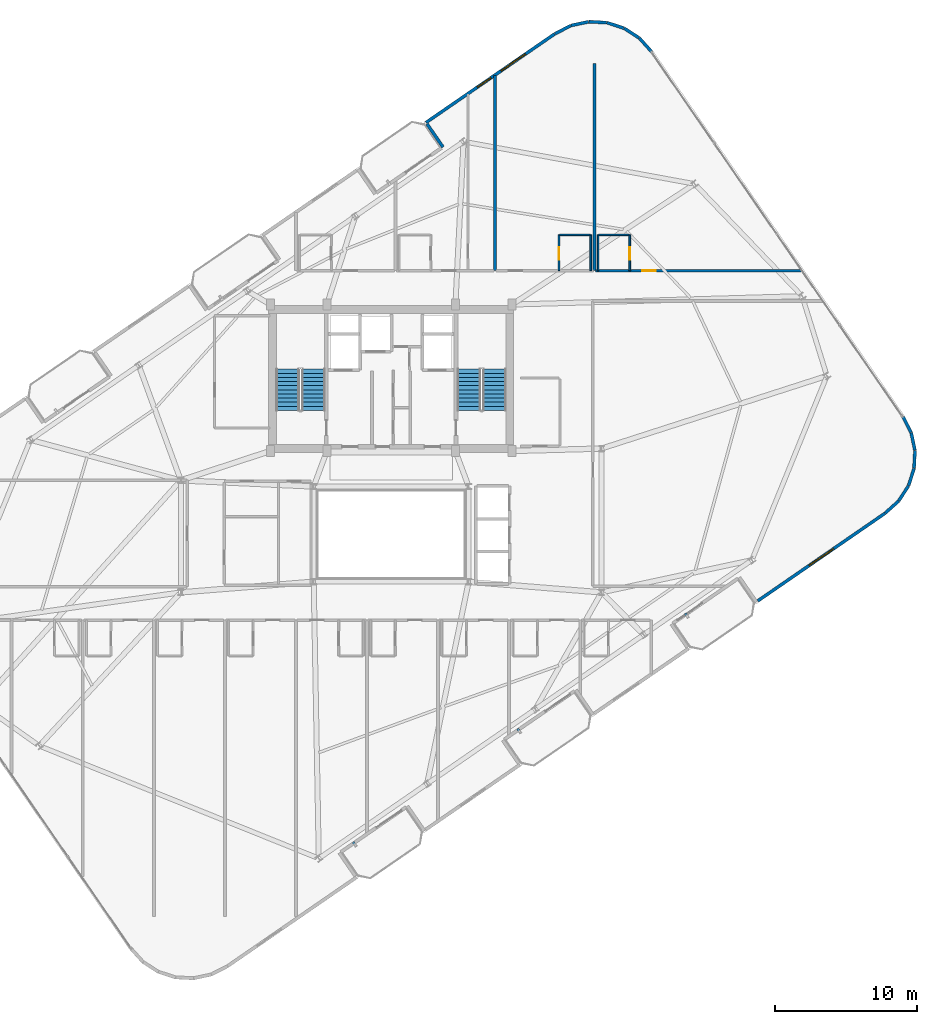
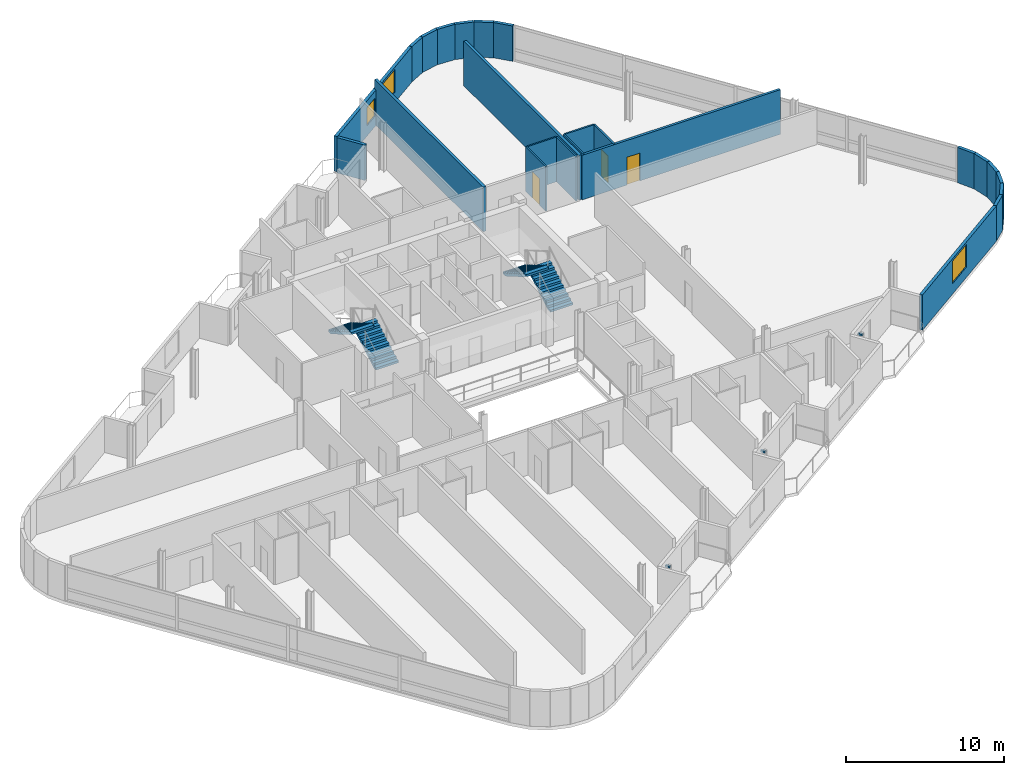
# One storey, part 18 of 22: 24 walls, 4 stair flights, 3 discrete accessories, 3 doors, 3 windows, 6 openings, 2 elements without a shape of their own.
"""IFC4 building model written with IfcOpenShell, lengths in metres."""

from ifc_helpers import new_model, si_unit, direction, frame, frame_2d, origin, origin_2d, place, context, subcontext, project, spatial, polyline, rectangle, outline, extrude, source, transform, mapped, material, layer, layer_set, type_object, element, fill, aggregate, save


model = new_model("IFC4")

# Units and contexts
model_context = context("Model", 3, precision=1e-05, world=origin(), true_north=direction((0.0, 1.0)))
body_context = subcontext(model_context, "Body", "Model", "MODEL_VIEW")
ifc_project = project(units=[si_unit("LENGTHUNIT", "METRE"), si_unit("AREAUNIT", "SQUARE_METRE"), si_unit("VOLUMEUNIT", "CUBIC_METRE"), si_unit("PLANEANGLEUNIT", "RADIAN"), si_unit("MASSUNIT", "GRAM", prefix="KILO")], contexts=[model_context])

# Site, building, storey
site_placement = place(None, origin())
site = spatial("IfcSite", under=ifc_project, at=site_placement, CompositionType="ELEMENT")
building_placement = place(site_placement, origin())
building = spatial("IfcBuilding", under=site, at=building_placement, Name="Varnelok Gate Tower", CompositionType="ELEMENT")
storey_placement = place(building_placement, frame((0.0, 0.0, 280.39990234375)))
storey = spatial("IfcBuildingStorey", under=building, at=storey_placement, Name="L72", CompositionType="ELEMENT", Elevation=280.39990234375)

# Wall, opening, window
ifc_material_1 = material(Name="Concrete C45/55", Category="concrete")
ifc_layer_1 = layer(ifc_material_1, 0.219970703125)
ifc_layer_set_1 = layer_set([ifc_layer_1], Name="Concrete C45/55")
wall_type_1 = type_object("IfcWallType", Name="EW-BALC-220", PredefinedType="SOLIDWALL", material=ifc_layer_set_1)
wall_1_placement = place(storey_placement, frame((64.9921875, 18.197998046875, 0.0), z_axis=(0.0, 0.0, 1.0), x_axis=(0.823538117322, 0.56726093583, 0.0)))
wall_1 = element("IfcWall", 1, at=wall_1_placement, inside=storey, type_object=wall_type_1, Name="L72 Perimeter Facade Closure Wall 16", PredefinedType="SOLIDWALL", context=body_context, shape_type="SweptSolid", body=[
    extrude(rectangle(XDim=10.880126953125, YDim=0.219970703125, at=frame_2d((5.43994140625, 0.0))), origin(), (0.0, 0.0, 1.0), 2.72998046875),
])
opening_1_placement = place(wall_1_placement, frame((4.39013671875, 0.0, 0.800048828125)))
opening_1 = element("IfcOpeningElement", 2, at=opening_1_placement, cuts=wall_1, Name="Opening WN4", PredefinedType="OPENING", context=body_context, shape_type="SweptSolid", body=[
    extrude(rectangle(XDim=2.10009765625, YDim=1.75, at=frame_2d((1.050048828125, 0.875))), frame((0.0, 0.119873046875, 0.0), z_axis=(0.0, -1.0, 0.0), x_axis=(1.0, 0.0, 0.0)), (0.0, 0.0, 1.0), 0.239990234375),
])
ifc_material_2 = material(Name="Low-E Laminated Double Glazing IGU", Category="glass")
window_type_1 = type_object("IfcWindowType", Name="WN-SUI-2100", PartitioningType="SINGLE_PANEL", PredefinedType="WINDOW", material=ifc_material_2)
window_1_placement = place(opening_1_placement, origin())
window_1 = element("IfcWindow", 3, at=window_1_placement, inside=storey, type_object=window_type_1, Name="L72 Perimeter Vision Window 16", OverallHeight=1.75, OverallWidth=2.10009765625, PartitioningType="SINGLE_PANEL", PredefinedType="WINDOW", context=body_context, shape_type="SweptSolid", body=[
    extrude(rectangle(XDim=2.10009765625, YDim=1.75, at=frame_2d((1.050048828125, 0.875))), frame((0.0, 0.030029296875, 0.0), z_axis=(0.0, -1.0, 0.0), x_axis=(1.0, 0.0, 0.0)), (0.0, 0.0, 1.0), 0.06005859375),
])
fill(opening_1, window_1)

# Walls
wall_2_placement = place(storey_placement, frame((73.970947265625, 24.38671875, 0.0), z_axis=(0.0, 0.0, 1.0), x_axis=(0.742501517089, 0.669844382764, 0.0)))
element("IfcWall", 4, at=wall_2_placement, inside=storey, type_object=wall_type_1, Name="L72 Perimeter Facade Closure Wall 17", PredefinedType="SOLIDWALL", context=body_context, shape_type="SweptSolid", body=[
    extrude(rectangle(XDim=1.256591796875, YDim=0.219970703125, at=frame_2d((0.62841796875, 0.0))), origin(), (0.0, 0.0, 1.0), 2.72998046875),
])
wall_3_placement = place(storey_placement, frame((74.91748046875, 25.24951171875, 0.0), z_axis=(0.0, 0.0, 1.0), x_axis=(0.543778157277, 0.839229000731, 0.0)))
element("IfcWall", 5, at=wall_3_placement, inside=storey, type_object=wall_type_1, Name="L72 Perimeter Facade Closure Wall 18", PredefinedType="SOLIDWALL", context=body_context, shape_type="SweptSolid", body=[
    extrude(rectangle(XDim=1.24853515625, YDim=0.219970703125, at=frame_2d((0.624267578125, 0.0))), origin(), (0.0, 0.0, 1.0), 2.72998046875),
])
for number, where, z_axis, x_axis, name in (
    (6, (75.604248046875, 26.321044921875, 0.0), (0.0, 0.0, 1.0), (0.307945220076, 0.951404089455, 0.0), "L72 Perimeter Facade Closure Wall 19"),
    (7, (75.989990234375, 27.533935546875, 0.0), (0.0, 0.0, 1.0), (0.05141975041, 0.998677129641, 0.0), "L72 Perimeter Facade Closure Wall 20"),
    (8, (76.048828125, 28.805419921875, 0.0), (0.0, 0.0, 1.0), (-0.208808017511, 0.977956651301, 0.0), "L72 Perimeter Facade Closure Wall 21"),
    (9, (75.776611328125, 30.048828125, 0.0), (0.0, 0.0, 1.0), (-0.454938817534, 0.890522696118, 0.0), "L72 Perimeter Facade Closure Wall 22"),
):
    element("IfcWall", number, at=place(storey_placement, frame(where, z_axis=z_axis, x_axis=x_axis)), inside=storey, type_object=wall_type_1, Name=name, PredefinedType="SOLIDWALL", context=body_context, shape_type="SweptSolid", body=[
        extrude(rectangle(XDim=1.248779296875, YDim=0.219970703125, at=frame_2d((0.62451171875, 0.0))), origin(), (0.0, 0.0, 1.0), 2.72998046875),
    ])
wall_4_placement = place(storey_placement, frame((57.509765625, 56.85498046875, 0.0), z_axis=(0.0, 0.0, 1.0), x_axis=(-0.669853727156, 0.742493086982, 0.0)))
element("IfcWall", 10, at=wall_4_placement, inside=storey, type_object=wall_type_1, Name="L72 Perimeter Facade Closure Wall 23", PredefinedType="SOLIDWALL", context=body_context, shape_type="SweptSolid", body=[
    extrude(rectangle(XDim=1.27392578125, YDim=0.219970703125, at=frame_2d((0.636962890625, 0.0))), origin(), (0.0, 0.0, 1.0), 2.72998046875),
])
wall_5_placement = place(storey_placement, frame((56.635498046875, 57.814208984375, 0.0), z_axis=(0.0, 0.0, 1.0), x_axis=(-0.839229000731, 0.543778157277, 0.0)))
element("IfcWall", 11, at=wall_5_placement, inside=storey, type_object=wall_type_1, Name="L72 Perimeter Facade Closure Wall 24", PredefinedType="SOLIDWALL", context=body_context, shape_type="SweptSolid", body=[
    extrude(rectangle(XDim=1.24853515625, YDim=0.219970703125, at=frame_2d((0.624267578125, 0.0))), origin(), (0.0, 0.0, 1.0), 2.72998046875),
])
for number, where, z_axis, x_axis, name in (
    (12, (55.56396484375, 58.5009765625, 0.0), (0.0, 0.0, 1.0), (-0.951404089455, 0.307945220076, 0.0), "L72 Perimeter Facade Closure Wall 25"),
    (13, (54.35107421875, 58.88671875, 0.0), (0.0, 0.0, 1.0), (-0.998687150602, 0.051224752047, 0.0), "L72 Perimeter Facade Closure Wall 26"),
    (14, (53.07958984375, 58.945556640625, 0.0), (0.0, 0.0, 1.0), (-0.977956651301, -0.208808017511, 0.0), "L72 Perimeter Facade Closure Wall 27"),
):
    element("IfcWall", number, at=place(storey_placement, frame(where, z_axis=z_axis, x_axis=x_axis)), inside=storey, type_object=wall_type_1, Name=name, PredefinedType="SOLIDWALL", context=body_context, shape_type="SweptSolid", body=[
        extrude(rectangle(XDim=1.248779296875, YDim=0.219970703125, at=frame_2d((0.62451171875, 0.0))), origin(), (0.0, 0.0, 1.0), 2.72998046875),
    ])
wall_6_placement = place(storey_placement, frame((51.836181640625, 58.67333984375, 0.0), z_axis=(0.0, 0.0, 1.0), x_axis=(-0.890586847538, -0.454813222095, 0.0)))
element("IfcWall", 15, at=wall_6_placement, inside=storey, type_object=wall_type_1, Name="L72 Perimeter Facade Closure Wall 28", PredefinedType="SOLIDWALL", context=body_context, shape_type="SweptSolid", body=[
    extrude(rectangle(XDim=1.256591796875, YDim=0.219970703125, at=frame_2d((0.62841796875, 0.0))), origin(), (0.0, 0.0, 1.0), 2.72998046875),
])

# Wall, openings, windows
wall_7_placement = place(storey_placement, frame((50.696533203125, 58.08740234375, 0.0), z_axis=(0.0, 0.0, 1.0), x_axis=(-0.823539455464, -0.567258993137, 0.0)))
wall_7 = element("IfcWall", 16, at=wall_7_placement, inside=storey, type_object=wall_type_1, Name="L72 Perimeter Facade Closure Wall 29", PredefinedType="SOLIDWALL", context=body_context, shape_type="SweptSolid", body=[
    extrude(rectangle(XDim=10.97998046875, YDim=0.219970703125, at=frame_2d((5.489990234375, 0.0))), origin(), (0.0, 0.0, 1.0), 2.72998046875),
])
opening_2_placement = place(wall_7_placement, frame((2.486328125, 0.0, 0.800048828125)))
opening_2 = element("IfcOpeningElement", 17, at=opening_2_placement, cuts=wall_7, Name="Opening WN4", PredefinedType="OPENING", context=body_context, shape_type="SweptSolid", body=[
    extrude(rectangle(XDim=2.10009765625, YDim=1.75, at=frame_2d((1.050048828125, 0.875))), frame((0.0, 0.119873046875, 0.0), z_axis=(0.0, -1.0, 0.0), x_axis=(1.0, 0.0, 0.0)), (0.0, 0.0, 1.0), 0.239990234375),
])
opening_3_placement = place(wall_7_placement, frame((5.43896484375, 0.0, 0.800048828125)))
opening_3 = element("IfcOpeningElement", 18, at=opening_3_placement, cuts=wall_7, Name="Opening WN8", PredefinedType="OPENING", context=body_context, shape_type="SweptSolid", body=[
    extrude(rectangle(XDim=1.14990234375, YDim=1.39990234375, at=frame_2d((0.574951171875, 0.699951171875))), frame((0.0, 0.119873046875, 0.0), z_axis=(0.0, -1.0, 0.0), x_axis=(1.0, 0.0, 0.0)), (0.0, 0.0, 1.0), 0.239990234375),
])
window_type_2 = type_object("IfcWindowType", Name="WN-BED-1150", PartitioningType="SINGLE_PANEL", PredefinedType="WINDOW", material=ifc_material_2)
window_2_placement = place(opening_3_placement, origin())
window_2 = element("IfcWindow", 19, at=window_2_placement, inside=storey, type_object=window_type_2, Name="L72 Bedroom Vision Window 52", OverallHeight=1.39990234375, OverallWidth=1.14990234375, PartitioningType="SINGLE_PANEL", PredefinedType="WINDOW", context=body_context, shape_type="SweptSolid", body=[
    extrude(rectangle(XDim=1.14990234375, YDim=1.39990234375, at=frame_2d((0.574951171875, 0.699951171875))), frame((0.0, 0.030029296875, 0.0), z_axis=(0.0, -1.0, 0.0), x_axis=(1.0, 0.0, 0.0)), (0.0, 0.0, 1.0), 0.06005859375),
])
fill(opening_3, window_2)
window_3_placement = place(opening_2_placement, origin())
window_3 = element("IfcWindow", 20, at=window_3_placement, inside=storey, type_object=window_type_1, Name="L72 Perimeter Vision Window 29", OverallHeight=1.75, OverallWidth=2.10009765625, PartitioningType="SINGLE_PANEL", PredefinedType="WINDOW", context=body_context, shape_type="SweptSolid", body=[
    extrude(rectangle(XDim=2.10009765625, YDim=1.75, at=frame_2d((1.050048828125, 0.875))), frame((0.0, 0.030029296875, 0.0), z_axis=(0.0, -1.0, 0.0), x_axis=(1.0, 0.0, 0.0)), (0.0, 0.0, 1.0), 0.06005859375),
])
fill(opening_2, window_3)

# Wall
wall_8_placement = place(storey_placement, frame((41.724853515625, 51.755859375, 0.0), z_axis=(0.0, 0.0, 1.0), x_axis=(0.567273565974, -0.823529417415, 0.0)))
element("IfcWall", 21, at=wall_8_placement, inside=storey, type_object=wall_type_1, Name="L72 Perimeter Facade Closure Wall 30", PredefinedType="SOLIDWALL", context=body_context, shape_type="SweptSolid", body=[
    extrude(rectangle(XDim=1.97509765625, YDim=0.219970703125, at=frame_2d((0.987548828125, 0.0))), origin(), (0.0, 0.0, 1.0), 2.72998046875),
])

# Wall, opening, door
ifc_material_3 = material(Name="Gypsum Plasterboard Acoustic Partition", Category="gypsum")
ifc_layer_2 = layer(ifc_material_3, 0.179931640625)
ifc_layer_set_2 = layer_set([ifc_layer_2], Name="Gypsum Plasterboard Acoustic Partition")
wall_type_2 = type_object("IfcWallType", Name="PW-CORR-180", PredefinedType="PARTITIONING", material=ifc_layer_set_2)
wall_9_placement = place(storey_placement, frame((53.580078125, 41.429931640625, 0.0), z_axis=(0.0, 0.0, 1.0), x_axis=(1.0, 0.0, 0.0)))
wall_9 = element("IfcWall", 22, at=wall_9_placement, inside=storey, type_object=wall_type_2, Name="Interior Partition", PredefinedType="PARTITIONING", context=body_context, shape_type="SweptSolid", body=[
    extrude(rectangle(XDim=14.491943359375, YDim=0.179931640625, at=frame_2d((7.24609375, 0.0))), origin(), (0.0, 0.0, 1.0), 3.4501953125),
])
opening_4_placement = place(wall_9_placement, frame((3.29443359375, 0.0, 0.0)))
opening_4 = element("IfcOpeningElement", 23, at=opening_4_placement, cuts=wall_9, Name="Opening D-HT", PredefinedType="OPENING", context=body_context, shape_type="SweptSolid", body=[
    extrude(rectangle(XDim=0.949951171875, YDim=2.14990234375, at=frame_2d((0.47509765625, 1.074951171875))), frame((0.0, 0.099853515625, 0.0), z_axis=(0.0, -1.0, 0.0), x_axis=(1.0, 0.0, 0.0)), (0.0, 0.0, 1.0), 0.199951171875),
])
ifc_material_4 = material(Name="Engineered Hardwood Timber", Category="wood")
door_type_1 = type_object("IfcDoorType", Name="DR-HTL-950", OperationType="NOTDEFINED", PredefinedType="DOOR", material=ifc_material_4)
door_1_placement = place(opening_4_placement, origin())
door_1 = element("IfcDoor", 24, at=door_1_placement, inside=storey, type_object=door_type_1, Name="L72 Guest Room 16 Entrance Door", OperationType="SINGLE_SWING_LEFT", OverallHeight=2.14990234375, OverallWidth=0.949951171875, PredefinedType="DOOR", context=body_context, shape_type="SweptSolid", body=[
    extrude(rectangle(XDim=0.949951171875, YDim=2.14990234375, at=frame_2d((0.47509765625, 1.074951171875))), frame((0.0, 0.02490234375, 0.0), z_axis=(0.0, -1.0, 0.0), x_axis=(1.0, 0.0, 0.0)), (0.0, 0.0, 1.0), 0.050048828125),
])
fill(opening_4, door_1)

# Wall
ifc_layer_3 = layer(ifc_material_3, 0.114990234375)
ifc_layer_set_3 = layer_set([ifc_layer_3], Name="Gypsum Plasterboard Acoustic Partition")
wall_type_3 = type_object("IfcWallType", Name="PW-ENS-125", PredefinedType="PARTITIONING", material=ifc_layer_set_3)
wall_10_placement = place(storey_placement, frame((51.050048828125, 43.949951171875, 0.0), z_axis=(0.0, 0.0, 1.0), x_axis=(1.0, 0.0, 0.0)))
element("IfcWall", 25, at=wall_10_placement, inside=storey, type_object=wall_type_3, Name="Interior Partition", PredefinedType="PARTITIONING", context=body_context, shape_type="SweptSolid", body=[
    extrude(rectangle(XDim=2.14990234375, YDim=0.114990234375, at=frame_2d((1.074951171875, 0.0))), origin(), (0.0, 0.0, 1.0), 3.4501953125),
])

# Wall, opening, door
wall_11_placement = place(storey_placement, frame((51.010009765625, 41.429931640625, 0.0), z_axis=(0.0, 0.0, 1.0), x_axis=(0.0, 1.0, 0.0)))
wall_11 = element("IfcWall", 26, at=wall_11_placement, inside=storey, type_object=wall_type_3, Name="Interior Partition", PredefinedType="PARTITIONING", context=body_context, shape_type="SweptSolid", body=[
    extrude(rectangle(XDim=2.52001953125, YDim=0.114990234375, at=frame_2d((1.260009765625, 0.0))), origin(), (0.0, 0.0, 1.0), 3.4501953125),
])
opening_5_placement = place(wall_11_placement, frame((0.760009765625, 0.0, 0.0)))
opening_5 = element("IfcOpeningElement", 27, at=opening_5_placement, cuts=wall_11, Name="Opening D-WC", PredefinedType="OPENING", context=body_context, shape_type="SweptSolid", body=[
    extrude(rectangle(XDim=0.89990234375, YDim=2.050048828125, at=frame_2d((0.449951171875, 1.02490234375))), frame((0.0, 0.0673828125, 0.0), z_axis=(0.0, -1.0, 0.0), x_axis=(1.0, 0.0, 0.0)), (0.0, 0.0, 1.0), 0.135009765625),
])
door_type_2 = type_object("IfcDoorType", Name="DR-BATH-900", OperationType="NOTDEFINED", PredefinedType="DOOR", material=ifc_material_4)
door_2_placement = place(opening_5_placement, origin())
door_2 = element("IfcDoor", 28, at=door_2_placement, inside=storey, type_object=door_type_2, Name="L72 North En-Suite 15 Door", OperationType="SINGLE_SWING_LEFT", OverallHeight=2.050048828125, OverallWidth=0.89990234375, PredefinedType="DOOR", context=body_context, shape_type="SweptSolid", body=[
    extrude(rectangle(XDim=0.89990234375, YDim=2.050048828125, at=frame_2d((0.449951171875, 1.02490234375))), frame((0.0, 0.02490234375, 0.0), z_axis=(0.0, -1.0, 0.0), x_axis=(1.0, 0.0, 0.0)), (0.0, 0.0, 1.0), 0.050048828125),
])
fill(opening_5, door_2)

# Walls
wall_12_placement = place(storey_placement, frame((53.239990234375, 41.429931640625, 0.0), z_axis=(0.0, 0.0, 1.0), x_axis=(0.0, 1.0, 0.0)))
element("IfcWall", 29, at=wall_12_placement, inside=storey, type_object=wall_type_3, Name="Interior Partition", PredefinedType="PARTITIONING", context=body_context, shape_type="SweptSolid", body=[
    extrude(rectangle(XDim=2.52001953125, YDim=0.114990234375, at=frame_2d((1.260009765625, 0.0))), origin(), (0.0, 0.0, 1.0), 3.4501953125),
])
wall_13_placement = place(storey_placement, frame((53.800048828125, 43.949951171875, 0.0), z_axis=(0.0, 0.0, 1.0), x_axis=(1.0, 0.0, 0.0)))
element("IfcWall", 30, at=wall_13_placement, inside=storey, type_object=wall_type_3, Name="Interior Partition", PredefinedType="PARTITIONING", context=body_context, shape_type="SweptSolid", body=[
    extrude(rectangle(XDim=2.14990234375, YDim=0.114990234375, at=frame_2d((1.074951171875, 0.0))), origin(), (0.0, 0.0, 1.0), 3.4501953125),
])

# Wall, opening, door
wall_14_placement = place(storey_placement, frame((55.989990234375, 41.429931640625, 0.0), z_axis=(0.0, 0.0, 1.0), x_axis=(0.0, 1.0, 0.0)))
wall_14 = element("IfcWall", 31, at=wall_14_placement, inside=storey, type_object=wall_type_3, Name="Interior Partition", PredefinedType="PARTITIONING", context=body_context, shape_type="SweptSolid", body=[
    extrude(rectangle(XDim=2.52001953125, YDim=0.114990234375, at=frame_2d((1.260009765625, 0.0))), origin(), (0.0, 0.0, 1.0), 3.4501953125),
])
opening_6_placement = place(wall_14_placement, frame((0.760009765625, 0.0, 0.0)))
opening_6 = element("IfcOpeningElement", 32, at=opening_6_placement, cuts=wall_14, Name="Opening D-WC", PredefinedType="OPENING", context=body_context, shape_type="SweptSolid", body=[
    extrude(rectangle(XDim=0.89990234375, YDim=2.050048828125, at=frame_2d((0.449951171875, 1.02490234375))), frame((0.0, 0.0673828125, 0.0), z_axis=(0.0, -1.0, 0.0), x_axis=(1.0, 0.0, 0.0)), (0.0, 0.0, 1.0), 0.135009765625),
])
door_3_placement = place(opening_6_placement, origin())
door_3 = element("IfcDoor", 33, at=door_3_placement, inside=storey, type_object=door_type_2, Name="L72 North En-Suite 16 Door", OperationType="SINGLE_SWING_RIGHT", OverallHeight=2.050048828125, OverallWidth=0.89990234375, PredefinedType="DOOR", context=body_context, shape_type="SweptSolid", body=[
    extrude(rectangle(XDim=0.89990234375, YDim=2.050048828125, at=frame_2d((0.449951171875, 1.02490234375))), frame((0.0, 0.02490234375, 0.0), z_axis=(0.0, -1.0, 0.0), x_axis=(1.0, 0.0, 0.0)), (0.0, 0.0, 1.0), 0.050048828125),
])
fill(opening_6, door_3)

# Walls
wall_15_placement = place(storey_placement, frame((53.760009765625, 41.429931640625, 0.0), z_axis=(0.0, 0.0, 1.0), x_axis=(0.0, 1.0, 0.0)))
element("IfcWall", 34, at=wall_15_placement, inside=storey, type_object=wall_type_3, Name="Interior Partition", PredefinedType="PARTITIONING", context=body_context, shape_type="SweptSolid", body=[
    extrude(rectangle(XDim=2.52001953125, YDim=0.114990234375, at=frame_2d((1.260009765625, 0.0))), origin(), (0.0, 0.0, 1.0), 3.4501953125),
])
ifc_layer_4 = layer(ifc_material_3, 0.205078125)
ifc_layer_set_4 = layer_set([ifc_layer_4], Name="Gypsum Plasterboard Acoustic Partition")
wall_type_4 = type_object("IfcWallType", Name="PW-PARTY-200", PredefinedType="PARTITIONING", material=ifc_layer_set_4)
wall_16_placement = place(storey_placement, frame((46.5, 41.429931640625, 0.0), z_axis=(0.0, 0.0, 1.0), x_axis=(0.0, 1.0, 0.0)))
element("IfcWall", 35, at=wall_16_placement, inside=storey, type_object=wall_type_4, Name="L72 North Party Wall 3", PredefinedType="PARTITIONING", context=body_context, shape_type="SweptSolid", body=[
    extrude(rectangle(XDim=13.74267578125, YDim=0.205078125, at=frame_2d((6.871337890625, 0.0))), origin(), (0.0, 0.0, 1.0), 3.4501953125),
])
wall_17_placement = place(storey_placement, frame((53.5, 41.429931640625, 0.0), z_axis=(0.0, 0.0, 1.0), x_axis=(0.0, 1.0, 0.0)))
element("IfcWall", 36, at=wall_17_placement, inside=storey, type_object=wall_type_4, Name="L72 North Party Wall 4", PredefinedType="PARTITIONING", context=body_context, shape_type="SweptSolid", body=[
    extrude(rectangle(XDim=14.570068359375, YDim=0.205078125, at=frame_2d((7.28515625, 0.0))), origin(), (0.0, 0.0, 1.0), 3.4501953125),
])

# Stair, stair flights
ifc_material_5 = material(Name="Concrete C50/60", Category="concrete")
stair_type = type_object("IfcStairType", Name="STR-CORE-1650", PredefinedType="HALF_TURN_STAIR", material=ifc_material_5)
stair_1_placement = place(storey_placement, origin())
stair_1 = element("IfcStair", 37, at=stair_1_placement, inside=storey, type_object=stair_type, Name="L72 Exit Stair ST-1", PredefinedType="HALF_TURN_STAIR")
stair_flight_type = type_object("IfcStairFlightType", Name="SFL-CORE-1650", PredefinedType="STRAIGHT", material=ifc_material_5)
stair_flight_1_placement = place(storey_placement, frame((33.72509765625, 31.60009765625, 0.0), z_axis=(0.0, 0.0, 1.0), x_axis=(0.0, 1.0, 0.0)))
stair_flight_1 = element("IfcStairFlight", 38, at=stair_flight_1_placement, type_object=stair_flight_type, Name="ST-1 flight 1", NumberOfRisers=11, NumberOfTreads=10, PredefinedType="STRAIGHT", RiserHeight=0.168181818, TreadLength=0.29, context=body_context, shape_type="SweptSolid", body=[
    extrude(outline(polyline([(0.0, 0.0), (0.0, 0.168212890625), (0.2900390625, 0.168212890625), (0.2900390625, 0.33642578125), (0.580078125, 0.33642578125), (0.580078125, 0.504638671875), (0.8701171875, 0.504638671875), (0.8701171875, 0.672607421875), (1.159912109375, 0.672607421875), (1.159912109375, 0.8408203125), (1.449951171875, 0.8408203125), (1.449951171875, 1.009033203125), (1.739990234375, 1.009033203125), (1.739990234375, 1.17724609375), (2.030029296875, 1.17724609375), (2.030029296875, 1.345458984375), (2.320068359375, 1.345458984375), (2.320068359375, 1.513671875), (2.610107421875, 1.513671875), (2.610107421875, 1.681884765625), (2.89990234375, 1.681884765625), (2.89990234375, 1.85009765625), (2.89990234375, 1.508544921875), (0.298828125, 0.0), (0.0, 0.0)])), frame((0.0, 0.824951171875, 0.0), z_axis=(0.0, -1.0, 0.0), x_axis=(1.0, 0.0, 0.0)), (0.0, 0.0, 1.0), 1.64990234375),
])
stair_flight_2_placement = place(storey_placement, frame((31.925048828125, 34.5, 1.85009765625), z_axis=(0.0, 0.0, 1.0), x_axis=(0.0, -1.0, 0.0)))
stair_flight_2 = element("IfcStairFlight", 39, at=stair_flight_2_placement, type_object=stair_flight_type, Name="ST-1 flight 2", NumberOfRisers=11, NumberOfTreads=10, PredefinedType="STRAIGHT", RiserHeight=0.168181818, TreadLength=0.29, context=body_context, shape_type="SweptSolid", body=[
    extrude(outline(polyline([(0.0, 0.0), (0.0, 0.168212890625), (0.2900390625, 0.168212890625), (0.2900390625, 0.33642578125), (0.580078125, 0.33642578125), (0.580078125, 0.504638671875), (0.8701171875, 0.504638671875), (0.8701171875, 0.672607421875), (1.159912109375, 0.672607421875), (1.159912109375, 0.8408203125), (1.449951171875, 0.8408203125), (1.449951171875, 1.009033203125), (1.739990234375, 1.009033203125), (1.739990234375, 1.17724609375), (2.030029296875, 1.17724609375), (2.030029296875, 1.345458984375), (2.320068359375, 1.345458984375), (2.320068359375, 1.513671875), (2.610107421875, 1.513671875), (2.610107421875, 1.681884765625), (2.89990234375, 1.681884765625), (2.89990234375, 1.85009765625), (2.89990234375, 1.508544921875), (0.298828125, 0.0), (0.0, 0.0)])), frame((0.0, 0.824951171875, 0.0), z_axis=(0.0, -1.0, 0.0), x_axis=(1.0, 0.0, 0.0)), (0.0, 0.0, 1.0), 1.64990234375),
])
aggregate(stair_1, [stair_flight_1, stair_flight_2])

stair_2_placement = place(storey_placement, origin())
stair_2 = element("IfcStair", 40, at=stair_2_placement, inside=storey, type_object=stair_type, Name="L72 Exit Stair ST-2", PredefinedType="HALF_TURN_STAIR")
stair_flight_3_placement = place(storey_placement, frame((46.47509765625, 31.60009765625, 0.0), z_axis=(0.0, 0.0, 1.0), x_axis=(0.0, 1.0, 0.0)))
stair_flight_3 = element("IfcStairFlight", 41, at=stair_flight_3_placement, type_object=stair_flight_type, Name="ST-2 flight 1", NumberOfRisers=11, NumberOfTreads=10, PredefinedType="STRAIGHT", RiserHeight=0.168181818, TreadLength=0.29, context=body_context, shape_type="SweptSolid", body=[
    extrude(outline(polyline([(0.0, 0.0), (0.0, 0.168212890625), (0.2900390625, 0.168212890625), (0.2900390625, 0.33642578125), (0.580078125, 0.33642578125), (0.580078125, 0.504638671875), (0.8701171875, 0.504638671875), (0.8701171875, 0.672607421875), (1.159912109375, 0.672607421875), (1.159912109375, 0.8408203125), (1.449951171875, 0.8408203125), (1.449951171875, 1.009033203125), (1.739990234375, 1.009033203125), (1.739990234375, 1.17724609375), (2.030029296875, 1.17724609375), (2.030029296875, 1.345458984375), (2.320068359375, 1.345458984375), (2.320068359375, 1.513671875), (2.610107421875, 1.513671875), (2.610107421875, 1.681884765625), (2.89990234375, 1.681884765625), (2.89990234375, 1.85009765625), (2.89990234375, 1.508544921875), (0.298828125, 0.0), (0.0, 0.0)])), frame((0.0, 0.824951171875, 0.0), z_axis=(0.0, -1.0, 0.0), x_axis=(1.0, 0.0, 0.0)), (0.0, 0.0, 1.0), 1.64990234375),
])
stair_flight_4_placement = place(storey_placement, frame((44.675048828125, 34.5, 1.85009765625), z_axis=(0.0, 0.0, 1.0), x_axis=(0.0, -1.0, 0.0)))
stair_flight_4 = element("IfcStairFlight", 42, at=stair_flight_4_placement, type_object=stair_flight_type, Name="ST-2 flight 2", NumberOfRisers=11, NumberOfTreads=10, PredefinedType="STRAIGHT", RiserHeight=0.168181818, TreadLength=0.29, context=body_context, shape_type="SweptSolid", body=[
    extrude(outline(polyline([(0.0, 0.0), (0.0, 0.168212890625), (0.2900390625, 0.168212890625), (0.2900390625, 0.33642578125), (0.580078125, 0.33642578125), (0.580078125, 0.504638671875), (0.8701171875, 0.504638671875), (0.8701171875, 0.672607421875), (1.159912109375, 0.672607421875), (1.159912109375, 0.8408203125), (1.449951171875, 0.8408203125), (1.449951171875, 1.009033203125), (1.739990234375, 1.009033203125), (1.739990234375, 1.17724609375), (2.030029296875, 1.17724609375), (2.030029296875, 1.345458984375), (2.320068359375, 1.345458984375), (2.320068359375, 1.513671875), (2.610107421875, 1.513671875), (2.610107421875, 1.681884765625), (2.89990234375, 1.681884765625), (2.89990234375, 1.85009765625), (2.89990234375, 1.508544921875), (0.298828125, 0.0), (0.0, 0.0)])), frame((0.0, 0.824951171875, 0.0), z_axis=(0.0, -1.0, 0.0), x_axis=(1.0, 0.0, 0.0)), (0.0, 0.0, 1.0), 1.64990234375),
])
aggregate(stair_2, [stair_flight_3, stair_flight_4])

# Discrete accessories
ifc_material_6 = material(Name="Structural Steel ASTM A500 Grade C", Category="steel")
discrete_accessory_type = type_object("IfcDiscreteAccessoryType", Name="ACC-BAGUETTE-BRK", PredefinedType="BRACKET", material=ifc_material_6)
shared_shape = source(origin(), body_context, "Body", "SweptSolid", [
    extrude(rectangle(XDim=0.159912109375, YDim=0.340087890625, at=origin_2d()), origin(), (0.0, 0.0, 1.0), 0.139892578125),
])
for number, where, z_axis, x_axis, name in (
    (43, (36.62158203125, 1.09619140625, 1.97998046875), (0.0, 0.0, 1.0), (0.823532597628, 0.567268949127, 0.0), "L72 Terracotta Baguette Bracket 1.1"),
    (44, (48.195068359375, 9.068359375, 1.97998046875), (0.0, 0.0, 1.0), (0.823532597628, 0.567268949127, 0.0), "L72 Terracotta Baguette Bracket 2.1"),
    (45, (59.982666015625, 17.187744140625, 1.97998046875), (0.0, 0.0, 1.0), (0.823532597628, 0.567268949127, 0.0), "L72 Terracotta Baguette Bracket 3.1"),
):
    element("IfcDiscreteAccessory", number, at=place(storey_placement, frame(where, z_axis=z_axis, x_axis=x_axis)), inside=storey, type_object=discrete_accessory_type, Name=name, PredefinedType="BRACKET", context=body_context, shape_type="MappedRepresentation", body=[
        mapped(shared_shape, transform((0.0, 0.0, 0.0), scale=1.0)),
    ])

save(model, "model.ifc")
